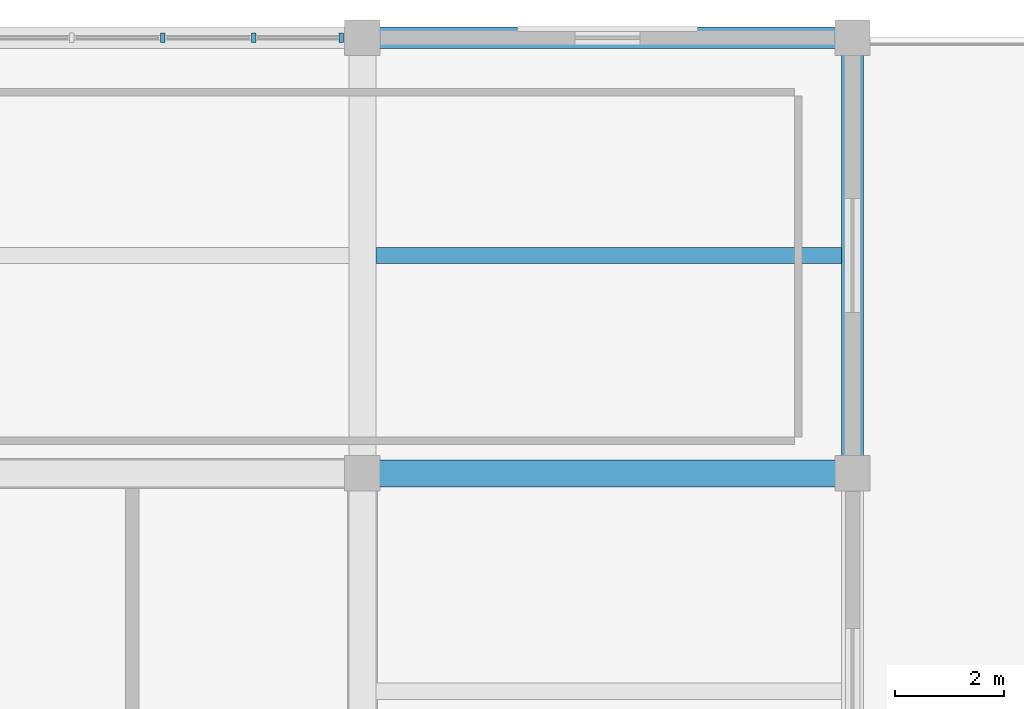
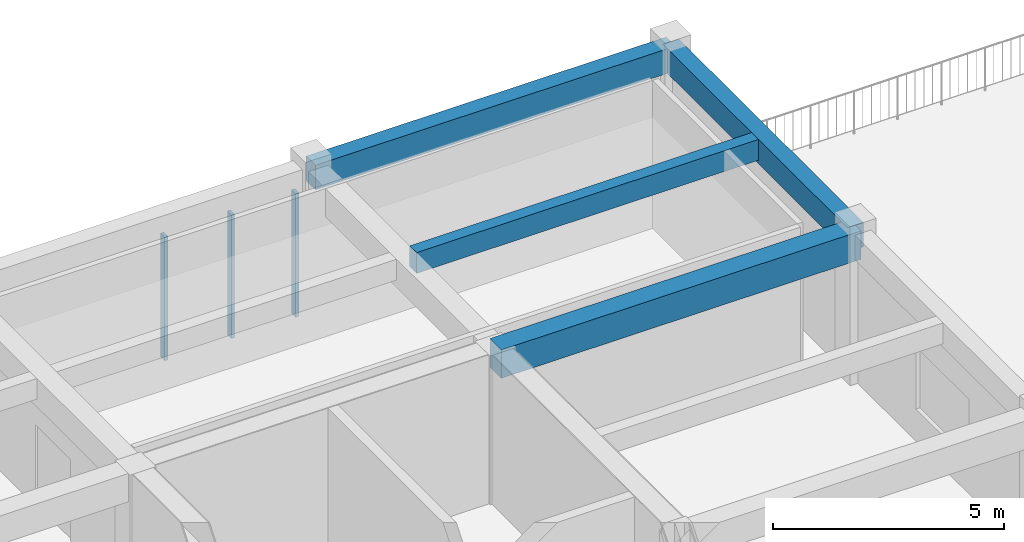
# One storey, part 6 of 12: 4 beams, 3 members, 1 element without a shape of its own.
"""IFC4 building model written with IfcOpenShell, lengths in metres."""

from ifc_helpers import new_model, si_unit, direction, frame, origin, origin_2d, place, context, subcontext, project, spatial, rectangle, extrude, material, material_profile, profile_set, type_object, element, aggregate, save


model = new_model("IFC4")

# Units and contexts
model_context = context("Model", 3, precision=1e-05, world=origin(), true_north=direction((0.0, 1.0)))
body_context = subcontext(model_context, "Body", "Model", "MODEL_VIEW")
ifc_project = project(units=[si_unit("LENGTHUNIT", "METRE"), si_unit("AREAUNIT", "SQUARE_METRE"), si_unit("VOLUMEUNIT", "CUBIC_METRE"), si_unit("PLANEANGLEUNIT", "RADIAN"), si_unit("MASSUNIT", "GRAM", prefix="KILO")], contexts=[model_context])

# Site, building, storey
site_placement = place(None, origin())
site = spatial("IfcSite", under=ifc_project, at=site_placement, CompositionType="ELEMENT")
building_placement = place(site_placement, origin())
building = spatial("IfcBuilding", under=site, at=building_placement, Name="Zaverband Oceanarium and Marine Research Institute", CompositionType="ELEMENT")
storey_placement = place(building_placement, frame((0.0, 0.0, 68.699951171875)))
storey = spatial("IfcBuildingStorey", under=building, at=storey_placement, Name="L17", CompositionType="ELEMENT", Elevation=68.699951171875)

# Beams
ifc_material_1 = material(Name="Concrete C40/50", Category="concrete")
ifc_material_profile_1 = material_profile(ifc_material_1, rectangle(XDim=0.5, YDim=0.75, at=origin_2d()), Name="RC500x750")
ifc_profile_set_1 = profile_set([ifc_material_profile_1], Name="Concrete C40/50")
beam_type_1 = type_object("IfcBeamType", Name="BM-500x750", PredefinedType="BEAM", material=ifc_profile_set_1)
beam_1_placement = place(storey_placement, frame((45.0, 104.0, 3.56494140625), z_axis=(1.0, 0.0, 0.0), x_axis=(0.0, 1.0, 0.0)))
element("IfcBeam", 1, at=beam_1_placement, inside=storey, type_object=beam_type_1, Name="Primary floor girder BM-500x750", PredefinedType="BEAM", context=body_context, shape_type="SweptSolid", body=[
    extrude(rectangle(XDim=0.5, YDim=0.75, at=origin_2d()), origin(), (0.0, 0.0, 1.0), 9.0),
])
ifc_material_profile_2 = material_profile(ifc_material_1, rectangle(XDim=0.300048828125, YDim=0.550048828125, at=origin_2d()), Name="RC300x550")
ifc_profile_set_2 = profile_set([ifc_material_profile_2], Name="Concrete C40/50")
beam_type_2 = type_object("IfcBeamType", Name="JST-300x550", PredefinedType="JOIST", material=ifc_profile_set_2)
beam_2_placement = place(storey_placement, frame((45.25, 108.0, 3.6650390625), z_axis=(1.0, 0.0, 0.0), x_axis=(0.0, 1.0, 0.0)))
element("IfcBeam", 2, at=beam_2_placement, inside=storey, type_object=beam_type_2, Name="Secondary floor joist JST-300x550", PredefinedType="JOIST", context=body_context, shape_type="SweptSolid", body=[
    extrude(rectangle(XDim=0.300048828125, YDim=0.550048828125, at=origin_2d()), origin(), (0.0, 0.0, 1.0), 8.550048828125),
])

# Curtain wall, members
ifc_material_2 = material(Name="Thermally broken anodized aluminium and solar-control glass", Category="aluminium")
curtain_wall_type = type_object("IfcCurtainWallType", Name="CW-UNIT-1800", PredefinedType="NOTDEFINED", material=ifc_material_2)
curtain_wall_placement = place(storey_placement, origin())
curtain_wall = element("IfcCurtainWall", 3, at=curtain_wall_placement, inside=storey, type_object=curtain_wall_type, Name="Unitised glazed curtain wall CW-179", PredefinedType="NOTDEFINED")
ifc_material_3 = material(Name="Thermally broken anodized aluminium", Category="aluminium")
ifc_material_profile_3 = material_profile(ifc_material_3, rectangle(XDim=0.080078125, YDim=0.179931640625, at=origin_2d()), Name="AL-MUL-80x180")
ifc_profile_set_3 = profile_set([ifc_material_profile_3], Name="Thermally broken anodized aluminium")
member_type = type_object("IfcMemberType", Name="MUL-80x180", PredefinedType="MULLION", material=ifc_profile_set_3)
member_1_placement = place(storey_placement, frame((41.333984375, 112.0, 0.0), z_axis=(0.0, 0.0, 1.0), x_axis=(1.0, 0.0, 0.0)))
member_1 = element("IfcMember", 4, at=member_1_placement, type_object=member_type, Name="Curtain wall vertical mullion MUL-80x180", PredefinedType="MULLION", context=body_context, shape_type="SweptSolid", body=[
    extrude(rectangle(XDim=0.080078125, YDim=0.179931640625, at=origin_2d()), origin(), (0.0, 0.0, 1.0), 3.27001953125),
])
member_2_placement = place(storey_placement, frame((43.001953125, 112.0, 0.0), z_axis=(0.0, 0.0, 1.0), x_axis=(1.0, 0.0, 0.0)))
member_2 = element("IfcMember", 5, at=member_2_placement, type_object=member_type, Name="Curtain wall vertical mullion MUL-80x180", PredefinedType="MULLION", context=body_context, shape_type="SweptSolid", body=[
    extrude(rectangle(XDim=0.080078125, YDim=0.179931640625, at=origin_2d()), origin(), (0.0, 0.0, 1.0), 3.27001953125),
])
member_3_placement = place(storey_placement, frame((44.610107421875, 112.0, 0.0), z_axis=(0.0, 0.0, 1.0), x_axis=(1.0, 0.0, 0.0)))
member_3 = element("IfcMember", 6, at=member_3_placement, type_object=member_type, Name="Curtain wall vertical mullion MUL-80x180", PredefinedType="MULLION", context=body_context, shape_type="SweptSolid", body=[
    extrude(rectangle(XDim=0.080078125, YDim=0.179931640625, at=origin_2d()), origin(), (0.0, 0.0, 1.0), 3.27001953125),
])
aggregate(curtain_wall, [member_1, member_2, member_3])

# Beams
ifc_material_profile_4 = material_profile(ifc_material_1, rectangle(XDim=0.39990234375, YDim=0.64990234375, at=origin_2d()), Name="RC400x650")
ifc_profile_set_4 = profile_set([ifc_material_profile_4], Name="Concrete C40/50")
beam_type_3 = type_object("IfcBeamType", Name="SPN-400x650", PredefinedType="SPANDREL", material=ifc_profile_set_4)
beam_3_placement = place(storey_placement, frame((45.0, 112.0, 3.614990234375), z_axis=(1.0, 0.0, 0.0), x_axis=(0.0, 1.0, 0.0)))
element("IfcBeam", 7, at=beam_3_placement, inside=storey, type_object=beam_type_3, Name="Perimeter spandrel beam SPN-400x650", PredefinedType="SPANDREL", context=body_context, shape_type="SweptSolid", body=[
    extrude(rectangle(XDim=0.39990234375, YDim=0.64990234375, at=origin_2d()), origin(), (0.0, 0.0, 1.0), 9.0),
])
beam_4_placement = place(storey_placement, frame((54.0, 104.0, 3.614990234375), z_axis=(0.0, 1.0, 0.0), x_axis=(-1.0, 0.0, 0.0)))
element("IfcBeam", 8, at=beam_4_placement, inside=storey, type_object=beam_type_3, Name="Perimeter spandrel beam SPN-400x650", PredefinedType="SPANDREL", context=body_context, shape_type="SweptSolid", body=[
    extrude(rectangle(XDim=0.39990234375, YDim=0.64990234375, at=origin_2d()), origin(), (0.0, 0.0, 1.0), 8.0),
])

save(model, "model.ifc")
